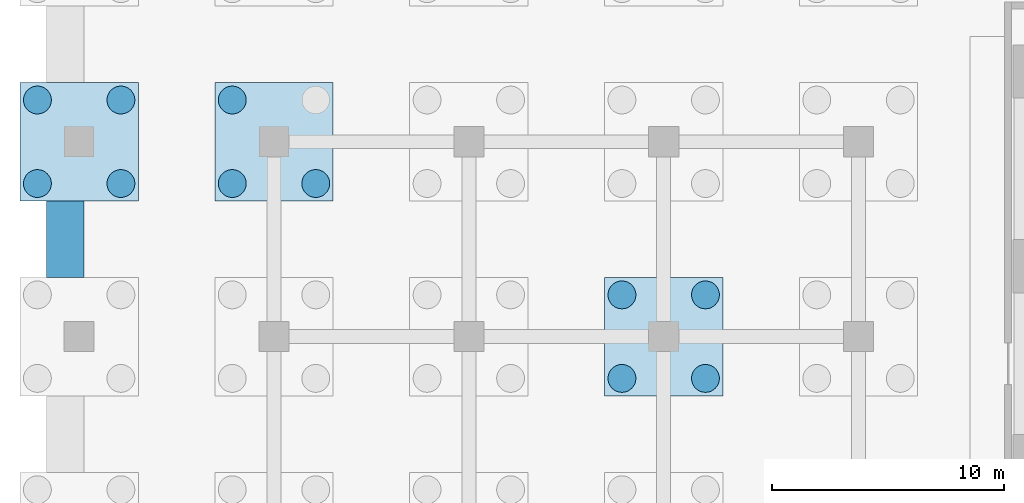
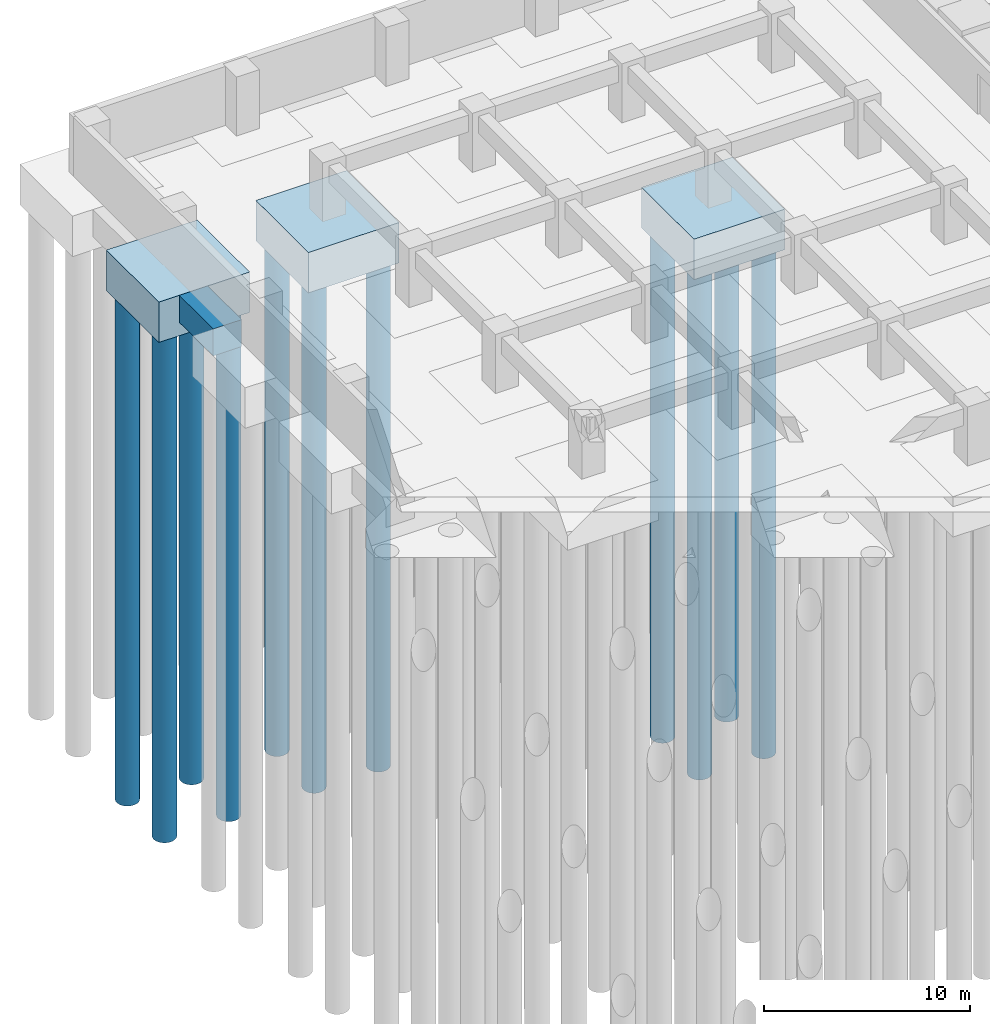
# One storey, part 34 of 73: 11 piles, 4 footings.
"""IFC4 building model written with IfcOpenShell, lengths in metres."""

import ifcopenshell
import ifcopenshell.guid

model = None  # the IFC model being written
_history = None  # IfcOwnerHistory: only IFC2X3 demands one
_inside = {}  # id of a spatial element -> (the spatial element, [elements in it])
_under = {}  # id of a project, library or spatial element -> (it, [spatial elements below it])
_declared = {}  # id of a project -> (the project, [libraries it declares])
_typed = {}  # id of a type object -> (the type object, [elements of that type])
_made_of = {}  # id of a material, layer set ... -> (it, [elements and type objects made of it])


def new_model(schema):
    """Start an empty IFC model of exactly this schema.

    Asked for "IFC4X3", IfcOpenShell would pick the latest addendum, in which some entities
    have other attributes; the version numbers below select the first issue.
    IFC2X3 requires an IfcOwnerHistory on every rooted entity: one is made here for all.
    """
    global model, _history
    if schema == "IFC4X3":
        model = ifcopenshell.file(schema_version=(4, 3, 0, 0))
    else:
        model = ifcopenshell.file(schema=schema)
    _inside.clear()
    _under.clear()
    _declared.clear()
    _typed.clear()
    _made_of.clear()
    _history = None
    if model.schema == "IFC2X3":
        org = make("IfcOrganization", Name="unknown")
        user = make(
            "IfcPersonAndOrganization",
            ThePerson=make("IfcPerson", FamilyName="unknown"),
            TheOrganization=org,
        )
        app = make(
            "IfcApplication",
            ApplicationDeveloper=org,
            Version="unknown",
            ApplicationFullName="unknown",
            ApplicationIdentifier="unknown",
        )
        _history = make(
            "IfcOwnerHistory",
            OwningUser=user,
            OwningApplication=app,
            ChangeAction="ADDED",
            CreationDate=0,
        )
    return model


def make(cls, **values):
    """One entity of the class cls with the attributes given. An attribute that is None is left unset."""
    return model.create_entity(
        cls, **{name: value for name, value in values.items() if value is not None}
    )


def rooted(cls, **values):
    """An entity with a GlobalId (a new one), such as an element, a storey or a relation."""
    return make(cls, GlobalId=ifcopenshell.guid.new(), OwnerHistory=_history, **values)


def si_unit(unit_type, name, prefix=None):
    """IfcSIUnit, for example si_unit("LENGTHUNIT", "METRE", prefix="MILLI")."""
    return make("IfcSIUnit", UnitType=unit_type, Prefix=prefix, Name=name)


def assignment(units):
    """IfcUnitAssignment: the units of a project."""
    return None if units is None else make("IfcUnitAssignment", Units=units)


def point(xyz):
    """IfcCartesianPoint."""
    return None if xyz is None else make("IfcCartesianPoint", Coordinates=xyz)


def direction(xyz):
    """IfcDirection."""
    return None if xyz is None else make("IfcDirection", DirectionRatios=xyz)


def frame(location, z_axis=None, x_axis=None):
    """IfcAxis2Placement3D, a coordinate frame: its origin and axes. An axis left out is left unset."""
    return make(
        "IfcAxis2Placement3D",
        Location=point(location),
        Axis=direction(z_axis),
        RefDirection=direction(x_axis),
    )


def frame_2d(location, x_axis=None):
    """IfcAxis2Placement2D, a coordinate frame in the plane: its origin and x axis."""
    return make(
        "IfcAxis2Placement2D", Location=point(location), RefDirection=direction(x_axis)
    )


def origin():
    """The frame at (0, 0, 0) with its axes left unset."""
    return frame((0.0, 0.0, 0.0))


def origin_2d():
    """The frame at (0, 0) in the plane with its x axis left unset."""
    return frame_2d((0.0, 0.0))


def place(relative_to, where):
    """IfcLocalPlacement: puts the frame where relative to a parent placement (None: the world)."""
    return make(
        "IfcLocalPlacement", PlacementRelTo=relative_to, RelativePlacement=where
    )


def context(
    kind, dimensions, precision=None, world=None, true_north=None, identifier=None
):
    """IfcGeometricRepresentationContext, for example the 3D "Model" context."""
    return make(
        "IfcGeometricRepresentationContext",
        ContextIdentifier=identifier,
        ContextType=kind,
        CoordinateSpaceDimension=dimensions,
        Precision=precision,
        WorldCoordinateSystem=world,
        TrueNorth=true_north,
    )


def subcontext(parent, identifier, kind, view, scale=None):
    """IfcGeometricRepresentationSubContext, for example "Body" below "Model"."""
    return make(
        "IfcGeometricRepresentationSubContext",
        ContextIdentifier=identifier,
        ContextType=kind,
        ParentContext=parent,
        TargetScale=scale,
        TargetView=view,
    )


def project(units=None, contexts=None):
    """IfcProject with its units and contexts."""
    return rooted(
        "IfcProject",
        Name="project",
        RepresentationContexts=contexts,
        UnitsInContext=assignment(units),
    )


def spatial(cls, under=None, at=None, **own):
    """A site, building, storey or space (cls), placed at a placement, below another one or the project."""
    s = rooted(cls, ObjectPlacement=at, **own)
    if under is not None:
        _under.setdefault(under.id(), (under, []))[1].append(s)
    return s


def polyline(points):
    """IfcPolyline through the points."""
    return make("IfcPolyline", Points=[point(p) for p in points])


def profile(cls, at=None, kind="AREA", **sizes):
    """A parametric profile (cls). Its sizes go by their IFC names, for example OverallWidth=200.0."""
    return make(cls, ProfileType=kind, Position=at, **sizes)


def circle(**sizes):
    """IfcCircleProfileDef."""
    return profile("IfcCircleProfileDef", **sizes)


def outline(outer, holes=None, kind="AREA"):
    """IfcArbitraryClosedProfileDef: a profile drawn as a closed curve; with holes, ...WithVoids."""
    if holes is None:
        return make("IfcArbitraryClosedProfileDef", ProfileType=kind, OuterCurve=outer)
    return make(
        "IfcArbitraryProfileDefWithVoids",
        ProfileType=kind,
        OuterCurve=outer,
        InnerCurves=holes,
    )


def extrude(swept, where, along, depth):
    """IfcExtrudedAreaSolid: the profile swept, set in the frame where, extruded along a direction by depth."""
    return make(
        "IfcExtrudedAreaSolid",
        SweptArea=swept,
        Position=where,
        ExtrudedDirection=direction(along),
        Depth=depth,
    )


def shape(context_of_items, identifier, shape_type, items):
    """IfcShapeRepresentation: the items that make up one representation, for example the "Body"."""
    return make(
        "IfcShapeRepresentation",
        ContextOfItems=context_of_items,
        RepresentationIdentifier=identifier,
        RepresentationType=shape_type,
        Items=items,
    )


def material(Name=None, Category=None):
    """IfcMaterial."""
    return make("IfcMaterial", Name=Name, Category=Category)


def material_profile(
    of_material, cross_section, Name=None, Category=None, Priority=None
):
    """IfcMaterialProfile: a cross section and its material."""
    return make(
        "IfcMaterialProfile",
        Name=Name,
        Material=of_material,
        Profile=cross_section,
        Priority=Priority,
        Category=Category,
    )


def profile_set(profiles, Name=None, composite=None):
    """IfcMaterialProfileSet."""
    return make(
        "IfcMaterialProfileSet",
        Name=Name,
        MaterialProfiles=profiles,
        CompositeProfile=composite,
    )


def made_of(thing, what):
    """Note that an element or type object is made of a material, layer set ...; save() writes the relation."""
    if what is not None:
        _made_of.setdefault(what.id(), (what, []))[1].append(thing)
    return thing


def type_object(cls, material=None, **own):
    """A type object (cls), such as IfcWallType, which elements share."""
    return made_of(rooted(cls, **own), material)


def element(
    cls,
    number,
    at=None,
    inside=None,
    cuts=None,
    type_object=None,
    material=None,
    context=None,
    identifier="Body",
    shape_type=None,
    held_by="IfcProductDefinitionShape",
    body=None,
    shapes=None,
    **own,
):
    """One element of the class cls, such as IfcWall. Its Tag is "e" and its number.

    at: its placement. inside: the storey or other place that contains it. cuts: it is an
    opening in that element (IfcRelVoidsElement). A single representation is given by context,
    identifier, shape_type and body (its items); several are given by shapes. held_by: the class
    of the entity that holds the representations. save() writes the other relations.
    """
    e = rooted(cls, Tag="e%d" % number, ObjectPlacement=at, **own)
    if body is not None:
        shapes = [shape(context, identifier, shape_type, body)]
    if shapes is not None:
        e.Representation = make(held_by, Representations=shapes)
    if inside is not None:
        _inside.setdefault(inside.id(), (inside, []))[1].append(e)
    if cuts is not None:
        rooted(
            "IfcRelVoidsElement", RelatingBuildingElement=cuts, RelatedOpeningElement=e
        )
    if type_object is not None:
        _typed.setdefault(type_object.id(), (type_object, []))[1].append(e)
    return made_of(e, material)


def aggregate(whole, parts):
    """IfcRelAggregates: a whole, such as a stair, and the parts it consists of."""
    return rooted("IfcRelAggregates", RelatingObject=whole, RelatedObjects=parts)


def save(model, path):
    """Write the relations noted so far, then the file.

    IfcRelAggregates (storeys below a building ...), IfcRelContainedInSpatialStructure (elements
    in a storey), IfcRelDefinesByType, IfcRelAssociatesMaterial and IfcRelDeclares: one each for
    every whole, place, type object, material and project.
    """
    for whole, parts in _under.values():
        aggregate(whole, parts)
    for where, things in _inside.values():
        rooted(
            "IfcRelContainedInSpatialStructure",
            RelatedElements=things,
            RelatingStructure=where,
        )
    for kind, things in _typed.values():
        rooted("IfcRelDefinesByType", RelatedObjects=things, RelatingType=kind)
    for what, things in _made_of.values():
        rooted("IfcRelAssociatesMaterial", RelatedObjects=things, RelatingMaterial=what)
    for by, libraries in _declared.values():
        rooted("IfcRelDeclares", RelatingContext=by, RelatedDefinitions=libraries)
    model.write(path)


model = new_model("IFC4")

# Units and contexts
model_context = context("Model", 3, precision=1e-05, world=origin(), true_north=direction((0.0, 1.0)))
body_context = subcontext(model_context, "Body", "Model", "MODEL_VIEW")
ifc_project = project(units=[si_unit("LENGTHUNIT", "METRE"), si_unit("AREAUNIT", "SQUARE_METRE"), si_unit("VOLUMEUNIT", "CUBIC_METRE"), si_unit("PLANEANGLEUNIT", "RADIAN"), si_unit("MASSUNIT", "GRAM", prefix="KILO")], contexts=[model_context])

# Site, building, storey
site_placement = place(None, origin())
site = spatial("IfcSite", under=ifc_project, at=site_placement, CompositionType="ELEMENT")
building_placement = place(site_placement, origin())
building = spatial("IfcBuilding", under=site, at=building_placement, Name="Impinga Residences", CompositionType="ELEMENT")
storey_placement = place(building_placement, frame((0.0, 0.0, -10.5)))
storey = spatial("IfcBuildingStorey", under=building, at=storey_placement, Name="B3", CompositionType="ELEMENT", Elevation=-10.5)

# Piles
ifc_material_1 = material(Name="Concrete C35/45", Category="concrete")
ifc_material_profile = material_profile(ifc_material_1, circle(Radius=0.60009765625, at=origin_2d()), Name="D1200")
ifc_profile_set = profile_set([ifc_material_profile], Name="Concrete C35/45")
pile_type = type_object("IfcPileType", Name="BP2 bored pile D1200", PredefinedType="BORED", material=ifc_profile_set)
pile_1_placement = place(storey_placement, frame((-52.199951171875, 40.199951171875, -2.39990234375), z_axis=(0.0, 0.0, -1.0), x_axis=(1.0, 0.0, 0.0)))
element("IfcPile", 1, at=pile_1_placement, inside=storey, type_object=pile_type, Name="Cap pile BP2 1/L-1", PredefinedType="BORED", context=body_context, shape_type="SweptSolid", body=[
    extrude(outline(polyline([(0.60009765625, 0.0), (0.59716796875, 0.058837890625), (0.58837890625, 0.116943359375), (0.57421875, 0.174072265625), (0.554443359375, 0.2294921875), (0.529052734375, 0.282958984375), (0.498779296875, 0.333251953125), (0.4638671875, 0.380615234375), (0.42431640625, 0.42431640625), (0.380615234375, 0.4638671875), (0.333251953125, 0.498779296875), (0.282958984375, 0.529052734375), (0.2294921875, 0.554443359375), (0.174072265625, 0.57421875), (0.116943359375, 0.58837890625), (0.058837890625, 0.59716796875), (0.0, 0.60009765625), (-0.058837890625, 0.59716796875), (-0.116943359375, 0.58837890625), (-0.174072265625, 0.57421875), (-0.2294921875, 0.554443359375), (-0.282958984375, 0.529052734375), (-0.333251953125, 0.498779296875), (-0.380615234375, 0.4638671875), (-0.42431640625, 0.42431640625), (-0.4638671875, 0.380615234375), (-0.498779296875, 0.333251953125), (-0.529052734375, 0.282958984375), (-0.554443359375, 0.2294921875), (-0.57421875, 0.174072265625), (-0.58837890625, 0.116943359375), (-0.59716796875, 0.058837890625), (-0.60009765625, 0.0), (-0.59716796875, -0.058837890625), (-0.58837890625, -0.116943359375), (-0.57421875, -0.174072265625), (-0.554443359375, -0.2294921875), (-0.529052734375, -0.282958984375), (-0.498779296875, -0.333251953125), (-0.4638671875, -0.380615234375), (-0.42431640625, -0.42431640625), (-0.380615234375, -0.4638671875), (-0.333251953125, -0.498779296875), (-0.282958984375, -0.529052734375), (-0.2294921875, -0.554443359375), (-0.174072265625, -0.57421875), (-0.116943359375, -0.58837890625), (-0.058837890625, -0.59716796875), (0.0, -0.60009765625), (0.058837890625, -0.59716796875), (0.116943359375, -0.58837890625), (0.174072265625, -0.57421875), (0.2294921875, -0.554443359375), (0.282958984375, -0.529052734375), (0.333251953125, -0.498779296875), (0.380615234375, -0.4638671875), (0.42431640625, -0.42431640625), (0.4638671875, -0.380615234375), (0.498779296875, -0.333251953125), (0.529052734375, -0.282958984375), (0.554443359375, -0.2294921875), (0.57421875, -0.174072265625), (0.58837890625, -0.116943359375), (0.59716796875, -0.058837890625), (0.60009765625, 0.0)])), origin(), (0.0, 0.0, 1.0), 30.0),
])
pile_2_placement = place(storey_placement, frame((-48.60009765625, 40.199951171875, -2.39990234375), z_axis=(0.0, 0.0, -1.0), x_axis=(1.0, 0.0, 0.0)))
element("IfcPile", 2, at=pile_2_placement, inside=storey, type_object=pile_type, Name="Cap pile BP2 1/L-2", PredefinedType="BORED", context=body_context, shape_type="SweptSolid", body=[
    extrude(outline(polyline([(0.60009765625, 0.0), (0.59716796875, 0.058837890625), (0.58837890625, 0.116943359375), (0.57421875, 0.174072265625), (0.554443359375, 0.2294921875), (0.529052734375, 0.282958984375), (0.498779296875, 0.333251953125), (0.4638671875, 0.380615234375), (0.42431640625, 0.42431640625), (0.380615234375, 0.4638671875), (0.333251953125, 0.498779296875), (0.282958984375, 0.529052734375), (0.2294921875, 0.554443359375), (0.174072265625, 0.57421875), (0.116943359375, 0.58837890625), (0.058837890625, 0.59716796875), (0.0, 0.60009765625), (-0.058837890625, 0.59716796875), (-0.116943359375, 0.58837890625), (-0.174072265625, 0.57421875), (-0.2294921875, 0.554443359375), (-0.282958984375, 0.529052734375), (-0.333251953125, 0.498779296875), (-0.380615234375, 0.4638671875), (-0.42431640625, 0.42431640625), (-0.4638671875, 0.380615234375), (-0.498779296875, 0.333251953125), (-0.529052734375, 0.282958984375), (-0.554443359375, 0.2294921875), (-0.57421875, 0.174072265625), (-0.58837890625, 0.116943359375), (-0.59716796875, 0.058837890625), (-0.60009765625, 0.0), (-0.59716796875, -0.058837890625), (-0.58837890625, -0.116943359375), (-0.57421875, -0.174072265625), (-0.554443359375, -0.2294921875), (-0.529052734375, -0.282958984375), (-0.498779296875, -0.333251953125), (-0.4638671875, -0.380615234375), (-0.42431640625, -0.42431640625), (-0.380615234375, -0.4638671875), (-0.333251953125, -0.498779296875), (-0.282958984375, -0.529052734375), (-0.2294921875, -0.554443359375), (-0.174072265625, -0.57421875), (-0.116943359375, -0.58837890625), (-0.058837890625, -0.59716796875), (0.0, -0.60009765625), (0.058837890625, -0.59716796875), (0.116943359375, -0.58837890625), (0.174072265625, -0.57421875), (0.2294921875, -0.554443359375), (0.282958984375, -0.529052734375), (0.333251953125, -0.498779296875), (0.380615234375, -0.4638671875), (0.42431640625, -0.42431640625), (0.4638671875, -0.380615234375), (0.498779296875, -0.333251953125), (0.529052734375, -0.282958984375), (0.554443359375, -0.2294921875), (0.57421875, -0.174072265625), (0.58837890625, -0.116943359375), (0.59716796875, -0.058837890625), (0.60009765625, 0.0)])), origin(), (0.0, 0.0, 1.0), 30.0),
])
pile_3_placement = place(storey_placement, frame((-48.60009765625, 43.800048828125, -2.39990234375), z_axis=(0.0, 0.0, -1.0), x_axis=(1.0, 0.0, 0.0)))
element("IfcPile", 3, at=pile_3_placement, inside=storey, type_object=pile_type, Name="Cap pile BP2 1/L-3", PredefinedType="BORED", context=body_context, shape_type="SweptSolid", body=[
    extrude(outline(polyline([(0.60009765625, 0.0), (0.59716796875, 0.058837890625), (0.58837890625, 0.116943359375), (0.57421875, 0.174072265625), (0.554443359375, 0.2294921875), (0.529052734375, 0.282958984375), (0.498779296875, 0.333251953125), (0.4638671875, 0.380615234375), (0.42431640625, 0.42431640625), (0.380615234375, 0.4638671875), (0.333251953125, 0.498779296875), (0.282958984375, 0.529052734375), (0.2294921875, 0.554443359375), (0.174072265625, 0.57421875), (0.116943359375, 0.58837890625), (0.058837890625, 0.59716796875), (0.0, 0.60009765625), (-0.058837890625, 0.59716796875), (-0.116943359375, 0.58837890625), (-0.174072265625, 0.57421875), (-0.2294921875, 0.554443359375), (-0.282958984375, 0.529052734375), (-0.333251953125, 0.498779296875), (-0.380615234375, 0.4638671875), (-0.42431640625, 0.42431640625), (-0.4638671875, 0.380615234375), (-0.498779296875, 0.333251953125), (-0.529052734375, 0.282958984375), (-0.554443359375, 0.2294921875), (-0.57421875, 0.174072265625), (-0.58837890625, 0.116943359375), (-0.59716796875, 0.058837890625), (-0.60009765625, 0.0), (-0.59716796875, -0.058837890625), (-0.58837890625, -0.116943359375), (-0.57421875, -0.174072265625), (-0.554443359375, -0.2294921875), (-0.529052734375, -0.282958984375), (-0.498779296875, -0.333251953125), (-0.4638671875, -0.380615234375), (-0.42431640625, -0.42431640625), (-0.380615234375, -0.4638671875), (-0.333251953125, -0.498779296875), (-0.282958984375, -0.529052734375), (-0.2294921875, -0.554443359375), (-0.174072265625, -0.57421875), (-0.116943359375, -0.58837890625), (-0.058837890625, -0.59716796875), (0.0, -0.60009765625), (0.058837890625, -0.59716796875), (0.116943359375, -0.58837890625), (0.174072265625, -0.57421875), (0.2294921875, -0.554443359375), (0.282958984375, -0.529052734375), (0.333251953125, -0.498779296875), (0.380615234375, -0.4638671875), (0.42431640625, -0.42431640625), (0.4638671875, -0.380615234375), (0.498779296875, -0.333251953125), (0.529052734375, -0.282958984375), (0.554443359375, -0.2294921875), (0.57421875, -0.174072265625), (0.58837890625, -0.116943359375), (0.59716796875, -0.058837890625), (0.60009765625, 0.0)])), origin(), (0.0, 0.0, 1.0), 30.0),
])
pile_4_placement = place(storey_placement, frame((-52.199951171875, 43.800048828125, -2.39990234375), z_axis=(0.0, 0.0, -1.0), x_axis=(1.0, 0.0, 0.0)))
element("IfcPile", 4, at=pile_4_placement, inside=storey, type_object=pile_type, Name="Cap pile BP2 1/L-4", PredefinedType="BORED", context=body_context, shape_type="SweptSolid", body=[
    extrude(outline(polyline([(0.60009765625, 0.0), (0.59716796875, 0.058837890625), (0.58837890625, 0.116943359375), (0.57421875, 0.174072265625), (0.554443359375, 0.2294921875), (0.529052734375, 0.282958984375), (0.498779296875, 0.333251953125), (0.4638671875, 0.380615234375), (0.42431640625, 0.42431640625), (0.380615234375, 0.4638671875), (0.333251953125, 0.498779296875), (0.282958984375, 0.529052734375), (0.2294921875, 0.554443359375), (0.174072265625, 0.57421875), (0.116943359375, 0.58837890625), (0.058837890625, 0.59716796875), (0.0, 0.60009765625), (-0.058837890625, 0.59716796875), (-0.116943359375, 0.58837890625), (-0.174072265625, 0.57421875), (-0.2294921875, 0.554443359375), (-0.282958984375, 0.529052734375), (-0.333251953125, 0.498779296875), (-0.380615234375, 0.4638671875), (-0.42431640625, 0.42431640625), (-0.4638671875, 0.380615234375), (-0.498779296875, 0.333251953125), (-0.529052734375, 0.282958984375), (-0.554443359375, 0.2294921875), (-0.57421875, 0.174072265625), (-0.58837890625, 0.116943359375), (-0.59716796875, 0.058837890625), (-0.60009765625, 0.0), (-0.59716796875, -0.058837890625), (-0.58837890625, -0.116943359375), (-0.57421875, -0.174072265625), (-0.554443359375, -0.2294921875), (-0.529052734375, -0.282958984375), (-0.498779296875, -0.333251953125), (-0.4638671875, -0.380615234375), (-0.42431640625, -0.42431640625), (-0.380615234375, -0.4638671875), (-0.333251953125, -0.498779296875), (-0.282958984375, -0.529052734375), (-0.2294921875, -0.554443359375), (-0.174072265625, -0.57421875), (-0.116943359375, -0.58837890625), (-0.058837890625, -0.59716796875), (0.0, -0.60009765625), (0.058837890625, -0.59716796875), (0.116943359375, -0.58837890625), (0.174072265625, -0.57421875), (0.2294921875, -0.554443359375), (0.282958984375, -0.529052734375), (0.333251953125, -0.498779296875), (0.380615234375, -0.4638671875), (0.42431640625, -0.42431640625), (0.4638671875, -0.380615234375), (0.498779296875, -0.333251953125), (0.529052734375, -0.282958984375), (0.554443359375, -0.2294921875), (0.57421875, -0.174072265625), (0.58837890625, -0.116943359375), (0.59716796875, -0.058837890625), (0.60009765625, 0.0)])), origin(), (0.0, 0.0, 1.0), 30.0),
])
pile_5_placement = place(storey_placement, frame((-43.800048828125, 40.199951171875, -2.39990234375), z_axis=(0.0, 0.0, -1.0), x_axis=(1.0, 0.0, 0.0)))
element("IfcPile", 5, at=pile_5_placement, inside=storey, type_object=pile_type, Name="Cap pile BP2 2/L-1", PredefinedType="BORED", context=body_context, shape_type="SweptSolid", body=[
    extrude(outline(polyline([(0.60009765625, 0.0), (0.59716796875, 0.058837890625), (0.58837890625, 0.116943359375), (0.57421875, 0.174072265625), (0.554443359375, 0.2294921875), (0.529052734375, 0.282958984375), (0.498779296875, 0.333251953125), (0.4638671875, 0.380615234375), (0.42431640625, 0.42431640625), (0.380615234375, 0.4638671875), (0.333251953125, 0.498779296875), (0.282958984375, 0.529052734375), (0.2294921875, 0.554443359375), (0.174072265625, 0.57421875), (0.116943359375, 0.58837890625), (0.058837890625, 0.59716796875), (0.0, 0.60009765625), (-0.058837890625, 0.59716796875), (-0.116943359375, 0.58837890625), (-0.174072265625, 0.57421875), (-0.2294921875, 0.554443359375), (-0.282958984375, 0.529052734375), (-0.333251953125, 0.498779296875), (-0.380615234375, 0.4638671875), (-0.42431640625, 0.42431640625), (-0.4638671875, 0.380615234375), (-0.498779296875, 0.333251953125), (-0.529052734375, 0.282958984375), (-0.554443359375, 0.2294921875), (-0.57421875, 0.174072265625), (-0.58837890625, 0.116943359375), (-0.59716796875, 0.058837890625), (-0.60009765625, 0.0), (-0.59716796875, -0.058837890625), (-0.58837890625, -0.116943359375), (-0.57421875, -0.174072265625), (-0.554443359375, -0.2294921875), (-0.529052734375, -0.282958984375), (-0.498779296875, -0.333251953125), (-0.4638671875, -0.380615234375), (-0.42431640625, -0.42431640625), (-0.380615234375, -0.4638671875), (-0.333251953125, -0.498779296875), (-0.282958984375, -0.529052734375), (-0.2294921875, -0.554443359375), (-0.174072265625, -0.57421875), (-0.116943359375, -0.58837890625), (-0.058837890625, -0.59716796875), (0.0, -0.60009765625), (0.058837890625, -0.59716796875), (0.116943359375, -0.58837890625), (0.174072265625, -0.57421875), (0.2294921875, -0.554443359375), (0.282958984375, -0.529052734375), (0.333251953125, -0.498779296875), (0.380615234375, -0.4638671875), (0.42431640625, -0.42431640625), (0.4638671875, -0.380615234375), (0.498779296875, -0.333251953125), (0.529052734375, -0.282958984375), (0.554443359375, -0.2294921875), (0.57421875, -0.174072265625), (0.58837890625, -0.116943359375), (0.59716796875, -0.058837890625), (0.60009765625, 0.0)])), origin(), (0.0, 0.0, 1.0), 30.0),
])
pile_6_placement = place(storey_placement, frame((-40.199951171875, 40.199951171875, -2.39990234375), z_axis=(0.0, 0.0, -1.0), x_axis=(1.0, 0.0, 0.0)))
element("IfcPile", 6, at=pile_6_placement, inside=storey, type_object=pile_type, Name="Cap pile BP2 2/L-2", PredefinedType="BORED", context=body_context, shape_type="SweptSolid", body=[
    extrude(outline(polyline([(0.60009765625, 0.0), (0.59716796875, 0.058837890625), (0.58837890625, 0.116943359375), (0.57421875, 0.174072265625), (0.554443359375, 0.2294921875), (0.529052734375, 0.282958984375), (0.498779296875, 0.333251953125), (0.4638671875, 0.380615234375), (0.42431640625, 0.42431640625), (0.380615234375, 0.4638671875), (0.333251953125, 0.498779296875), (0.282958984375, 0.529052734375), (0.2294921875, 0.554443359375), (0.174072265625, 0.57421875), (0.116943359375, 0.58837890625), (0.058837890625, 0.59716796875), (0.0, 0.60009765625), (-0.058837890625, 0.59716796875), (-0.116943359375, 0.58837890625), (-0.174072265625, 0.57421875), (-0.2294921875, 0.554443359375), (-0.282958984375, 0.529052734375), (-0.333251953125, 0.498779296875), (-0.380615234375, 0.4638671875), (-0.42431640625, 0.42431640625), (-0.4638671875, 0.380615234375), (-0.498779296875, 0.333251953125), (-0.529052734375, 0.282958984375), (-0.554443359375, 0.2294921875), (-0.57421875, 0.174072265625), (-0.58837890625, 0.116943359375), (-0.59716796875, 0.058837890625), (-0.60009765625, 0.0), (-0.59716796875, -0.058837890625), (-0.58837890625, -0.116943359375), (-0.57421875, -0.174072265625), (-0.554443359375, -0.2294921875), (-0.529052734375, -0.282958984375), (-0.498779296875, -0.333251953125), (-0.4638671875, -0.380615234375), (-0.42431640625, -0.42431640625), (-0.380615234375, -0.4638671875), (-0.333251953125, -0.498779296875), (-0.282958984375, -0.529052734375), (-0.2294921875, -0.554443359375), (-0.174072265625, -0.57421875), (-0.116943359375, -0.58837890625), (-0.058837890625, -0.59716796875), (0.0, -0.60009765625), (0.058837890625, -0.59716796875), (0.116943359375, -0.58837890625), (0.174072265625, -0.57421875), (0.2294921875, -0.554443359375), (0.282958984375, -0.529052734375), (0.333251953125, -0.498779296875), (0.380615234375, -0.4638671875), (0.42431640625, -0.42431640625), (0.4638671875, -0.380615234375), (0.498779296875, -0.333251953125), (0.529052734375, -0.282958984375), (0.554443359375, -0.2294921875), (0.57421875, -0.174072265625), (0.58837890625, -0.116943359375), (0.59716796875, -0.058837890625), (0.60009765625, 0.0)])), origin(), (0.0, 0.0, 1.0), 30.0),
])
pile_7_placement = place(storey_placement, frame((-43.800048828125, 43.800048828125, -2.39990234375), z_axis=(0.0, 0.0, -1.0), x_axis=(1.0, 0.0, 0.0)))
element("IfcPile", 7, at=pile_7_placement, inside=storey, type_object=pile_type, Name="Cap pile BP2 2/L-4", PredefinedType="BORED", context=body_context, shape_type="SweptSolid", body=[
    extrude(outline(polyline([(0.60009765625, 0.0), (0.59716796875, 0.058837890625), (0.58837890625, 0.116943359375), (0.57421875, 0.174072265625), (0.554443359375, 0.2294921875), (0.529052734375, 0.282958984375), (0.498779296875, 0.333251953125), (0.4638671875, 0.380615234375), (0.42431640625, 0.42431640625), (0.380615234375, 0.4638671875), (0.333251953125, 0.498779296875), (0.282958984375, 0.529052734375), (0.2294921875, 0.554443359375), (0.174072265625, 0.57421875), (0.116943359375, 0.58837890625), (0.058837890625, 0.59716796875), (0.0, 0.60009765625), (-0.058837890625, 0.59716796875), (-0.116943359375, 0.58837890625), (-0.174072265625, 0.57421875), (-0.2294921875, 0.554443359375), (-0.282958984375, 0.529052734375), (-0.333251953125, 0.498779296875), (-0.380615234375, 0.4638671875), (-0.42431640625, 0.42431640625), (-0.4638671875, 0.380615234375), (-0.498779296875, 0.333251953125), (-0.529052734375, 0.282958984375), (-0.554443359375, 0.2294921875), (-0.57421875, 0.174072265625), (-0.58837890625, 0.116943359375), (-0.59716796875, 0.058837890625), (-0.60009765625, 0.0), (-0.59716796875, -0.058837890625), (-0.58837890625, -0.116943359375), (-0.57421875, -0.174072265625), (-0.554443359375, -0.2294921875), (-0.529052734375, -0.282958984375), (-0.498779296875, -0.333251953125), (-0.4638671875, -0.380615234375), (-0.42431640625, -0.42431640625), (-0.380615234375, -0.4638671875), (-0.333251953125, -0.498779296875), (-0.282958984375, -0.529052734375), (-0.2294921875, -0.554443359375), (-0.174072265625, -0.57421875), (-0.116943359375, -0.58837890625), (-0.058837890625, -0.59716796875), (0.0, -0.60009765625), (0.058837890625, -0.59716796875), (0.116943359375, -0.58837890625), (0.174072265625, -0.57421875), (0.2294921875, -0.554443359375), (0.282958984375, -0.529052734375), (0.333251953125, -0.498779296875), (0.380615234375, -0.4638671875), (0.42431640625, -0.42431640625), (0.4638671875, -0.380615234375), (0.498779296875, -0.333251953125), (0.529052734375, -0.282958984375), (0.554443359375, -0.2294921875), (0.57421875, -0.174072265625), (0.58837890625, -0.116943359375), (0.59716796875, -0.058837890625), (0.60009765625, 0.0)])), origin(), (0.0, 0.0, 1.0), 30.0),
])
pile_8_placement = place(storey_placement, frame((-27.0, 31.800048828125, -2.39990234375), z_axis=(0.0, 0.0, -1.0), x_axis=(1.0, 0.0, 0.0)))
element("IfcPile", 8, at=pile_8_placement, inside=storey, type_object=pile_type, Name="Cap pile BP2 4/K-1", PredefinedType="BORED", context=body_context, shape_type="SweptSolid", body=[
    extrude(outline(polyline([(0.60009765625, 0.0), (0.59716796875, 0.058837890625), (0.58837890625, 0.116943359375), (0.57421875, 0.174072265625), (0.554443359375, 0.2294921875), (0.529052734375, 0.282958984375), (0.498779296875, 0.333251953125), (0.4638671875, 0.380615234375), (0.42431640625, 0.42431640625), (0.380615234375, 0.4638671875), (0.333251953125, 0.498779296875), (0.282958984375, 0.529052734375), (0.2294921875, 0.554443359375), (0.174072265625, 0.57421875), (0.116943359375, 0.58837890625), (0.058837890625, 0.59716796875), (0.0, 0.60009765625), (-0.058837890625, 0.59716796875), (-0.116943359375, 0.58837890625), (-0.174072265625, 0.57421875), (-0.2294921875, 0.554443359375), (-0.282958984375, 0.529052734375), (-0.333251953125, 0.498779296875), (-0.380615234375, 0.4638671875), (-0.42431640625, 0.42431640625), (-0.4638671875, 0.380615234375), (-0.498779296875, 0.333251953125), (-0.529052734375, 0.282958984375), (-0.554443359375, 0.2294921875), (-0.57421875, 0.174072265625), (-0.58837890625, 0.116943359375), (-0.59716796875, 0.058837890625), (-0.60009765625, 0.0), (-0.59716796875, -0.058837890625), (-0.58837890625, -0.116943359375), (-0.57421875, -0.174072265625), (-0.554443359375, -0.2294921875), (-0.529052734375, -0.282958984375), (-0.498779296875, -0.333251953125), (-0.4638671875, -0.380615234375), (-0.42431640625, -0.42431640625), (-0.380615234375, -0.4638671875), (-0.333251953125, -0.498779296875), (-0.282958984375, -0.529052734375), (-0.2294921875, -0.554443359375), (-0.174072265625, -0.57421875), (-0.116943359375, -0.58837890625), (-0.058837890625, -0.59716796875), (0.0, -0.60009765625), (0.058837890625, -0.59716796875), (0.116943359375, -0.58837890625), (0.174072265625, -0.57421875), (0.2294921875, -0.554443359375), (0.282958984375, -0.529052734375), (0.333251953125, -0.498779296875), (0.380615234375, -0.4638671875), (0.42431640625, -0.42431640625), (0.4638671875, -0.380615234375), (0.498779296875, -0.333251953125), (0.529052734375, -0.282958984375), (0.554443359375, -0.2294921875), (0.57421875, -0.174072265625), (0.58837890625, -0.116943359375), (0.59716796875, -0.058837890625), (0.60009765625, 0.0)])), origin(), (0.0, 0.0, 1.0), 30.0),
])
pile_9_placement = place(storey_placement, frame((-23.39990234375, 31.800048828125, -2.39990234375), z_axis=(0.0, 0.0, -1.0), x_axis=(1.0, 0.0, 0.0)))
element("IfcPile", 9, at=pile_9_placement, inside=storey, type_object=pile_type, Name="Cap pile BP2 4/K-2", PredefinedType="BORED", context=body_context, shape_type="SweptSolid", body=[
    extrude(outline(polyline([(0.60009765625, 0.0), (0.59716796875, 0.058837890625), (0.58837890625, 0.116943359375), (0.57421875, 0.174072265625), (0.554443359375, 0.2294921875), (0.529052734375, 0.282958984375), (0.498779296875, 0.333251953125), (0.4638671875, 0.380615234375), (0.42431640625, 0.42431640625), (0.380615234375, 0.4638671875), (0.333251953125, 0.498779296875), (0.282958984375, 0.529052734375), (0.2294921875, 0.554443359375), (0.174072265625, 0.57421875), (0.116943359375, 0.58837890625), (0.058837890625, 0.59716796875), (0.0, 0.60009765625), (-0.058837890625, 0.59716796875), (-0.116943359375, 0.58837890625), (-0.174072265625, 0.57421875), (-0.2294921875, 0.554443359375), (-0.282958984375, 0.529052734375), (-0.333251953125, 0.498779296875), (-0.380615234375, 0.4638671875), (-0.42431640625, 0.42431640625), (-0.4638671875, 0.380615234375), (-0.498779296875, 0.333251953125), (-0.529052734375, 0.282958984375), (-0.554443359375, 0.2294921875), (-0.57421875, 0.174072265625), (-0.58837890625, 0.116943359375), (-0.59716796875, 0.058837890625), (-0.60009765625, 0.0), (-0.59716796875, -0.058837890625), (-0.58837890625, -0.116943359375), (-0.57421875, -0.174072265625), (-0.554443359375, -0.2294921875), (-0.529052734375, -0.282958984375), (-0.498779296875, -0.333251953125), (-0.4638671875, -0.380615234375), (-0.42431640625, -0.42431640625), (-0.380615234375, -0.4638671875), (-0.333251953125, -0.498779296875), (-0.282958984375, -0.529052734375), (-0.2294921875, -0.554443359375), (-0.174072265625, -0.57421875), (-0.116943359375, -0.58837890625), (-0.058837890625, -0.59716796875), (0.0, -0.60009765625), (0.058837890625, -0.59716796875), (0.116943359375, -0.58837890625), (0.174072265625, -0.57421875), (0.2294921875, -0.554443359375), (0.282958984375, -0.529052734375), (0.333251953125, -0.498779296875), (0.380615234375, -0.4638671875), (0.42431640625, -0.42431640625), (0.4638671875, -0.380615234375), (0.498779296875, -0.333251953125), (0.529052734375, -0.282958984375), (0.554443359375, -0.2294921875), (0.57421875, -0.174072265625), (0.58837890625, -0.116943359375), (0.59716796875, -0.058837890625), (0.60009765625, 0.0)])), origin(), (0.0, 0.0, 1.0), 30.0),
])
pile_10_placement = place(storey_placement, frame((-23.39990234375, 35.39990234375, -2.39990234375), z_axis=(0.0, 0.0, -1.0), x_axis=(1.0, 0.0, 0.0)))
element("IfcPile", 10, at=pile_10_placement, inside=storey, type_object=pile_type, Name="Cap pile BP2 4/K-3", PredefinedType="BORED", context=body_context, shape_type="SweptSolid", body=[
    extrude(outline(polyline([(0.60009765625, 0.0), (0.59716796875, 0.058837890625), (0.58837890625, 0.116943359375), (0.57421875, 0.174072265625), (0.554443359375, 0.2294921875), (0.529052734375, 0.282958984375), (0.498779296875, 0.333251953125), (0.4638671875, 0.380615234375), (0.42431640625, 0.42431640625), (0.380615234375, 0.4638671875), (0.333251953125, 0.498779296875), (0.282958984375, 0.529052734375), (0.2294921875, 0.554443359375), (0.174072265625, 0.57421875), (0.116943359375, 0.58837890625), (0.058837890625, 0.59716796875), (0.0, 0.60009765625), (-0.058837890625, 0.59716796875), (-0.116943359375, 0.58837890625), (-0.174072265625, 0.57421875), (-0.2294921875, 0.554443359375), (-0.282958984375, 0.529052734375), (-0.333251953125, 0.498779296875), (-0.380615234375, 0.4638671875), (-0.42431640625, 0.42431640625), (-0.4638671875, 0.380615234375), (-0.498779296875, 0.333251953125), (-0.529052734375, 0.282958984375), (-0.554443359375, 0.2294921875), (-0.57421875, 0.174072265625), (-0.58837890625, 0.116943359375), (-0.59716796875, 0.058837890625), (-0.60009765625, 0.0), (-0.59716796875, -0.058837890625), (-0.58837890625, -0.116943359375), (-0.57421875, -0.174072265625), (-0.554443359375, -0.2294921875), (-0.529052734375, -0.282958984375), (-0.498779296875, -0.333251953125), (-0.4638671875, -0.380615234375), (-0.42431640625, -0.42431640625), (-0.380615234375, -0.4638671875), (-0.333251953125, -0.498779296875), (-0.282958984375, -0.529052734375), (-0.2294921875, -0.554443359375), (-0.174072265625, -0.57421875), (-0.116943359375, -0.58837890625), (-0.058837890625, -0.59716796875), (0.0, -0.60009765625), (0.058837890625, -0.59716796875), (0.116943359375, -0.58837890625), (0.174072265625, -0.57421875), (0.2294921875, -0.554443359375), (0.282958984375, -0.529052734375), (0.333251953125, -0.498779296875), (0.380615234375, -0.4638671875), (0.42431640625, -0.42431640625), (0.4638671875, -0.380615234375), (0.498779296875, -0.333251953125), (0.529052734375, -0.282958984375), (0.554443359375, -0.2294921875), (0.57421875, -0.174072265625), (0.58837890625, -0.116943359375), (0.59716796875, -0.058837890625), (0.60009765625, 0.0)])), origin(), (0.0, 0.0, 1.0), 30.0),
])
pile_11_placement = place(storey_placement, frame((-27.0, 35.39990234375, -2.39990234375), z_axis=(0.0, 0.0, -1.0), x_axis=(1.0, 0.0, 0.0)))
element("IfcPile", 11, at=pile_11_placement, inside=storey, type_object=pile_type, Name="Cap pile BP2 4/K-4", PredefinedType="BORED", context=body_context, shape_type="SweptSolid", body=[
    extrude(outline(polyline([(0.60009765625, 0.0), (0.59716796875, 0.058837890625), (0.58837890625, 0.116943359375), (0.57421875, 0.174072265625), (0.554443359375, 0.2294921875), (0.529052734375, 0.282958984375), (0.498779296875, 0.333251953125), (0.4638671875, 0.380615234375), (0.42431640625, 0.42431640625), (0.380615234375, 0.4638671875), (0.333251953125, 0.498779296875), (0.282958984375, 0.529052734375), (0.2294921875, 0.554443359375), (0.174072265625, 0.57421875), (0.116943359375, 0.58837890625), (0.058837890625, 0.59716796875), (0.0, 0.60009765625), (-0.058837890625, 0.59716796875), (-0.116943359375, 0.58837890625), (-0.174072265625, 0.57421875), (-0.2294921875, 0.554443359375), (-0.282958984375, 0.529052734375), (-0.333251953125, 0.498779296875), (-0.380615234375, 0.4638671875), (-0.42431640625, 0.42431640625), (-0.4638671875, 0.380615234375), (-0.498779296875, 0.333251953125), (-0.529052734375, 0.282958984375), (-0.554443359375, 0.2294921875), (-0.57421875, 0.174072265625), (-0.58837890625, 0.116943359375), (-0.59716796875, 0.058837890625), (-0.60009765625, 0.0), (-0.59716796875, -0.058837890625), (-0.58837890625, -0.116943359375), (-0.57421875, -0.174072265625), (-0.554443359375, -0.2294921875), (-0.529052734375, -0.282958984375), (-0.498779296875, -0.333251953125), (-0.4638671875, -0.380615234375), (-0.42431640625, -0.42431640625), (-0.380615234375, -0.4638671875), (-0.333251953125, -0.498779296875), (-0.282958984375, -0.529052734375), (-0.2294921875, -0.554443359375), (-0.174072265625, -0.57421875), (-0.116943359375, -0.58837890625), (-0.058837890625, -0.59716796875), (0.0, -0.60009765625), (0.058837890625, -0.59716796875), (0.116943359375, -0.58837890625), (0.174072265625, -0.57421875), (0.2294921875, -0.554443359375), (0.282958984375, -0.529052734375), (0.333251953125, -0.498779296875), (0.380615234375, -0.4638671875), (0.42431640625, -0.42431640625), (0.4638671875, -0.380615234375), (0.498779296875, -0.333251953125), (0.529052734375, -0.282958984375), (0.554443359375, -0.2294921875), (0.57421875, -0.174072265625), (0.58837890625, -0.116943359375), (0.59716796875, -0.058837890625), (0.60009765625, 0.0)])), origin(), (0.0, 0.0, 1.0), 30.0),
])

# Footings
ifc_material_2 = material(Name="Concrete C45/55", Category="concrete")
footing_type_1 = type_object("IfcFootingType", Name="PC4 four-pile cap 5100 square 2400 deep", PredefinedType="PILE_CAP", material=ifc_material_2)
footing_1_placement = place(storey_placement, frame((0.0, 0.0, -2.39990234375)))
element("IfcFooting", 12, at=footing_1_placement, inside=storey, type_object=footing_type_1, Name="Pile cap PC4 1/L", PredefinedType="PILE_CAP", context=body_context, shape_type="SweptSolid", body=[
    extrude(outline(polyline([(-47.85009765625, 39.449951171875), (-47.85009765625, 44.550048828125), (-52.949951171875, 44.550048828125), (-52.949951171875, 39.449951171875), (-47.85009765625, 39.449951171875)])), origin(), (0.0, 0.0, 1.0), 2.39990234375),
])
footing_2_placement = place(storey_placement, frame((0.0, 0.0, -2.39990234375)))
element("IfcFooting", 13, at=footing_2_placement, inside=storey, type_object=footing_type_1, Name="Pile cap PC4 2/L", PredefinedType="PILE_CAP", context=body_context, shape_type="SweptSolid", body=[
    extrude(outline(polyline([(-39.449951171875, 39.449951171875), (-39.449951171875, 44.550048828125), (-44.550048828125, 44.550048828125), (-44.550048828125, 39.449951171875), (-39.449951171875, 39.449951171875)])), origin(), (0.0, 0.0, 1.0), 2.39990234375),
])
footing_3_placement = place(storey_placement, frame((0.0, 0.0, -2.39990234375)))
element("IfcFooting", 14, at=footing_3_placement, inside=storey, type_object=footing_type_1, Name="Pile cap PC4 4/K", PredefinedType="PILE_CAP", context=body_context, shape_type="SweptSolid", body=[
    extrude(outline(polyline([(-22.64990234375, 31.050048828125), (-22.64990234375, 36.14990234375), (-27.75, 36.14990234375), (-27.75, 31.050048828125), (-22.64990234375, 31.050048828125)])), origin(), (0.0, 0.0, 1.0), 2.39990234375),
])
footing_type_2 = type_object("IfcFootingType", Name="SF1 strip footing 1600 wide 1600 deep", PredefinedType="STRIP_FOOTING", material=ifc_material_2)
footing_4_placement = place(storey_placement, frame((0.0, 0.0, -1.60009765625)))
element("IfcFooting", 15, at=footing_4_placement, inside=storey, type_object=footing_type_2, Name="Strip footing SF1 W 2", PredefinedType="STRIP_FOOTING", context=body_context, shape_type="SweptSolid", body=[
    extrude(outline(polyline([(-50.199951171875, 36.14990234375), (-51.800048828125, 36.14990234375), (-51.800048828125, 39.449951171875), (-50.199951171875, 39.449951171875), (-50.199951171875, 36.14990234375)])), origin(), (0.0, 0.0, 1.0), 1.60009765625),
])

save(model, "model.ifc")
